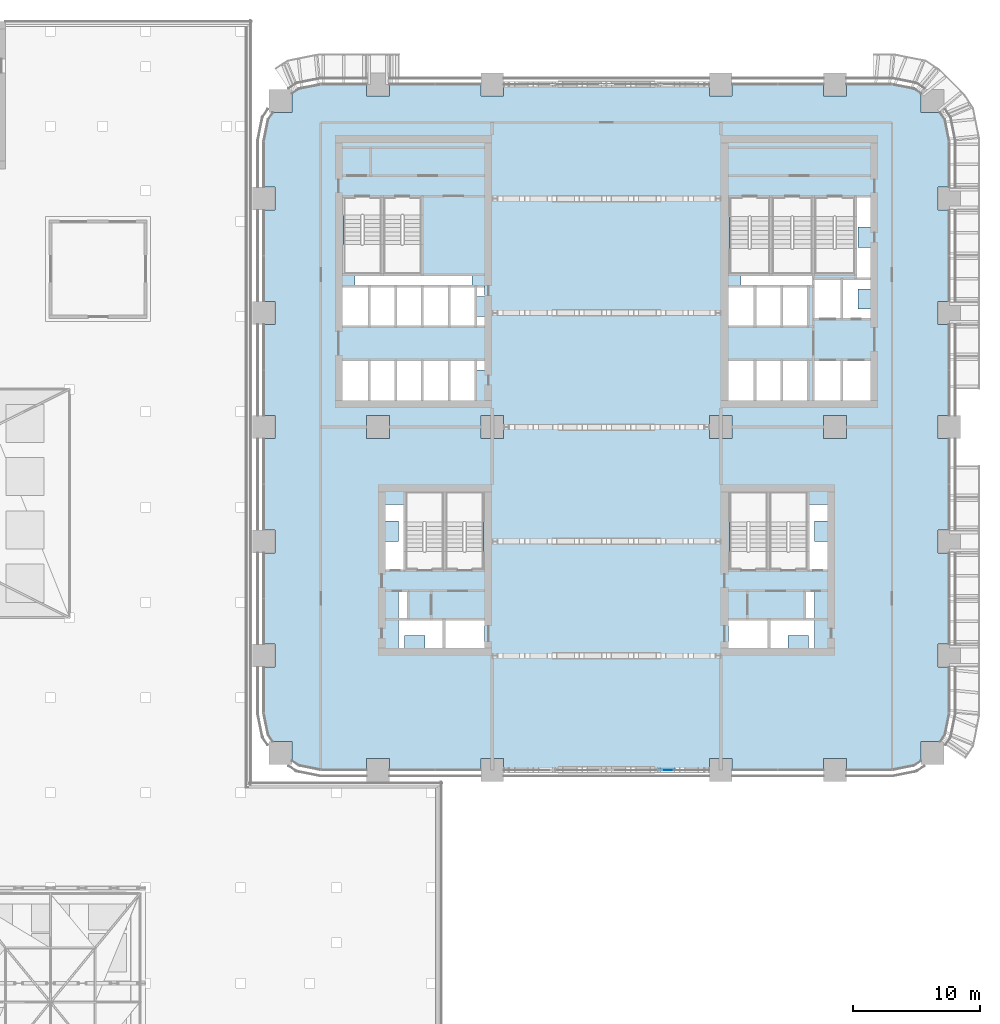
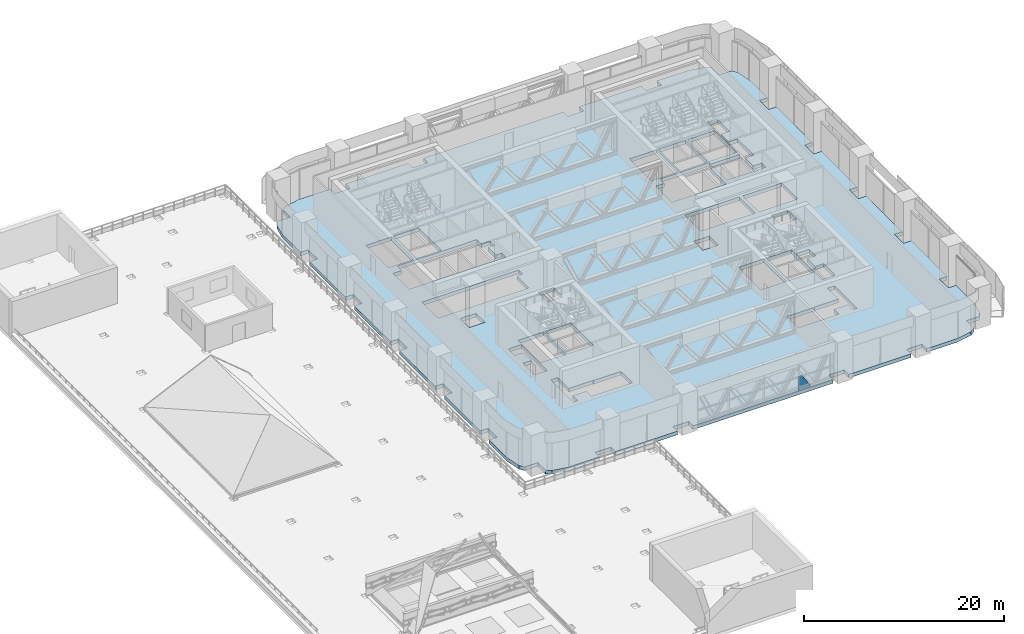
# One storey, part 14 of 35: 1 plate, 1 slab, 1 element without a shape of its own.
"""IFC4 building model written with IfcOpenShell, lengths in metres."""

from ifc_helpers import new_model, si_unit, direction, frame, origin, place, context, subcontext, project, spatial, polyline, outline, extrude, material, layer, layer_set, type_object, element, aggregate, save


model = new_model("IFC4")

# Units and contexts
model_context = context("Model", 3, precision=1e-05, world=origin(), true_north=direction((0.0, 1.0)))
body_context = subcontext(model_context, "Body", "Model", "MODEL_VIEW")
ifc_project = project(units=[si_unit("LENGTHUNIT", "METRE"), si_unit("AREAUNIT", "SQUARE_METRE"), si_unit("VOLUMEUNIT", "CUBIC_METRE"), si_unit("PLANEANGLEUNIT", "RADIAN"), si_unit("MASSUNIT", "GRAM", prefix="KILO")], contexts=[model_context])

# Site, building, storey
site_placement = place(None, origin())
site = spatial("IfcSite", under=ifc_project, at=site_placement, CompositionType="ELEMENT")
building_placement = place(site_placement, origin())
building = spatial("IfcBuilding", under=site, at=building_placement, Name="Tessera Arch", CompositionType="ELEMENT")
storey_placement = place(building_placement, frame((0.0, 0.0, 26.0)))
storey = spatial("IfcBuildingStorey", under=building, at=storey_placement, Name="L04", CompositionType="ELEMENT", Elevation=26.0)

# Curtain wall, plate
ifc_material_1 = material(Name="CW4 curtain wall")
curtain_wall_type = type_object("IfcCurtainWallType", Name="CW4 curtain wall", PredefinedType="NOTDEFINED", material=ifc_material_1)
curtain_wall_placement = place(storey_placement, origin())
curtain_wall = element("IfcCurtainWall", 1, at=curtain_wall_placement, inside=storey, type_object=curtain_wall_type, Name="CW4 curtain wall S0.0/1 L04", PredefinedType="NOTDEFINED")
ifc_material_2 = material(Name="Clear low-e glass", Category="glass")
ifc_layer_1 = layer(ifc_material_2, 0.028076171875)
ifc_layer_set_1 = layer_set([ifc_layer_1], Name="CW4 glass panel")
plate_type = type_object("IfcPlateType", Name="CW4 glass panel", PredefinedType="CURTAIN_PANEL", material=ifc_layer_set_1)
plate_placement = place(storey_placement, frame((31.090087890625, -0.013916015625, 0.0), z_axis=(0.0, -1.0, 0.0), x_axis=(1.0, 0.0, 0.0)))
plate = element("IfcPlate", 2, at=plate_placement, type_object=plate_type, Name="CW4 fitted glass panel S0.0/1 19", PredefinedType="CURTAIN_PANEL", context=body_context, shape_type="SweptSolid", body=[
    extrude(outline(polyline([(0.0, 0.0), (1.21630859375, 0.0), (1.333984375, 0.267333984375), (0.400146484375, 1.72998046875), (0.0, 1.72998046875), (0.0, 0.0)])), origin(), (0.0, 0.0, -1.0), 0.028076171875),
])
aggregate(curtain_wall, [plate])

# Slab
ifc_material_3 = material(Name="Concrete C40/50", Category="concrete")
ifc_layer_2 = layer(ifc_material_3, 0.449951171875)
ifc_layer_set_2 = layer_set([ifc_layer_2], Name="Floor slab 450 Concrete C40/50")
slab_type = type_object("IfcSlabType", Name="Floor slab 450 Concrete C40/50", PredefinedType="FLOOR", material=ifc_layer_set_2)
slab_placement = place(storey_placement, frame((0.0, 0.0, -0.449951171875)))
element("IfcSlab", 3, at=slab_placement, inside=storey, type_object=slab_type, Name="Floor slab L04 1", PredefinedType="FLOOR", context=body_context, shape_type="SweptSolid", body=[
    extrude(outline(polyline([(4.5, 0.0), (2.77783203125, 0.342529296875), (2.218017578125, 0.716552734375), (2.218017578125, 2.218017578125), (0.716552734375, 2.218017578125), (0.342529296875, 2.77783203125), (0.0, 4.5), (0.0, 8.10009765625), (0.89990234375, 8.10009765625), (0.89990234375, 9.89990234375), (0.0, 9.89990234375), (0.0, 17.10009765625), (0.89990234375, 17.10009765625), (0.89990234375, 18.89990234375), (0.0, 18.89990234375), (0.0, 26.10009765625), (0.89990234375, 26.10009765625), (0.89990234375, 27.89990234375), (0.0, 27.89990234375), (0.0, 35.10009765625), (0.89990234375, 35.10009765625), (0.89990234375, 36.89990234375), (0.0, 36.89990234375), (0.0, 44.10009765625), (0.89990234375, 44.10009765625), (0.89990234375, 45.89990234375), (0.0, 45.89990234375), (0.0, 49.5), (0.342529296875, 51.22216796875), (0.716552734375, 51.781982421875), (2.218017578125, 51.781982421875), (2.218017578125, 53.283447265625), (2.77783203125, 53.657470703125), (4.5, 54.0), (8.10009765625, 54.0), (8.10009765625, 53.10009765625), (9.89990234375, 53.10009765625), (9.89990234375, 54.0), (17.10009765625, 54.0), (17.10009765625, 53.10009765625), (18.89990234375, 53.10009765625), (18.89990234375, 54.0), (35.10009765625, 54.0), (35.10009765625, 53.10009765625), (36.89990234375, 53.10009765625), (36.89990234375, 54.0), (44.10009765625, 54.0), (44.10009765625, 53.10009765625), (45.89990234375, 53.10009765625), (45.89990234375, 54.0), (49.5, 54.0), (51.22216796875, 53.657470703125), (51.781982421875, 53.283447265625), (51.781982421875, 51.781982421875), (53.283447265625, 51.781982421875), (53.657470703125, 51.22216796875), (54.0, 49.5), (54.0, 45.89990234375), (53.10009765625, 45.89990234375), (53.10009765625, 44.10009765625), (54.0, 44.10009765625), (54.0, 36.89990234375), (53.10009765625, 36.89990234375), (53.10009765625, 35.10009765625), (54.0, 35.10009765625), (54.0, 27.89990234375), (53.10009765625, 27.89990234375), (53.10009765625, 26.10009765625), (54.0, 26.10009765625), (54.0, 18.89990234375), (53.10009765625, 18.89990234375), (53.10009765625, 17.10009765625), (54.0, 17.10009765625), (54.0, 9.89990234375), (53.10009765625, 9.89990234375), (53.10009765625, 8.10009765625), (54.0, 8.10009765625), (54.0, 4.5), (53.657470703125, 2.77783203125), (53.283447265625, 2.218017578125), (51.781982421875, 2.218017578125), (51.781982421875, 0.716552734375), (51.22216796875, 0.342529296875), (49.5, 0.0), (45.89990234375, 0.0), (45.89990234375, 0.89990234375), (44.10009765625, 0.89990234375), (44.10009765625, 0.0), (36.89990234375, 0.0), (36.89990234375, 0.89990234375), (35.10009765625, 0.89990234375), (35.10009765625, 0.0), (18.89990234375, 0.0), (18.89990234375, 0.89990234375), (17.10009765625, 0.89990234375), (17.10009765625, 0.0), (9.89990234375, 0.0), (9.89990234375, 0.89990234375), (8.10009765625, 0.89990234375), (8.10009765625, 0.0), (4.5, 0.0)]), holes=[polyline([(11.39990234375, 11.89990234375), (11.39990234375, 14.10009765625), (10.60009765625, 14.10009765625), (10.60009765625, 11.89990234375), (10.60009765625, 9.60009765625), (11.10009765625, 9.60009765625), (11.10009765625, 10.60009765625), (12.699951171875, 10.60009765625), (12.699951171875, 9.60009765625), (14.199951171875, 9.60009765625), (17.39990234375, 9.60009765625), (17.39990234375, 11.85009765625), (14.199951171875, 11.85009765625), (14.199951171875, 11.89990234375), (11.39990234375, 11.89990234375)]), polyline([(9.60009765625, 20.89990234375), (9.60009765625, 19.60009765625), (10.60009765625, 19.60009765625), (10.60009765625, 18.0), (9.60009765625, 18.0), (9.60009765625, 15.699951171875), (11.10009765625, 15.699951171875), (11.10009765625, 20.89990234375), (9.60009765625, 20.89990234375)]), polyline([(8.10009765625, 26.10009765625), (9.89990234375, 26.10009765625), (9.89990234375, 27.89990234375), (8.10009765625, 27.89990234375), (8.10009765625, 26.10009765625)]), polyline([(12.5, 29.10009765625), (14.60009765625, 29.10009765625), (16.699951171875, 29.10009765625), (16.699951171875, 31.5), (17.39990234375, 31.5), (17.39990234375, 32.300048828125), (16.699951171875, 32.300048828125), (14.60009765625, 32.300048828125), (12.5, 32.300048828125), (10.39990234375, 32.300048828125), (8.300048828125, 32.300048828125), (6.199951171875, 32.300048828125), (6.199951171875, 29.10009765625), (8.300048828125, 29.10009765625), (10.39990234375, 29.10009765625), (12.5, 29.10009765625)]), polyline([(12.5, 34.89990234375), (14.60009765625, 34.89990234375), (16.699951171875, 34.89990234375), (17.39990234375, 34.89990234375), (17.39990234375, 35.699951171875), (16.699951171875, 35.699951171875), (16.699951171875, 37.300048828125), (17.39990234375, 37.300048828125), (17.39990234375, 38.10009765625), (16.699951171875, 38.10009765625), (16.39990234375, 38.10009765625), (16.39990234375, 39.0), (7.199951171875, 39.0), (7.199951171875, 38.10009765625), (6.199951171875, 38.10009765625), (6.199951171875, 34.89990234375), (8.300048828125, 34.89990234375), (10.39990234375, 34.89990234375), (12.5, 34.89990234375)]), polyline([(7.85009765625, 43.699951171875), (7.699951171875, 43.699951171875), (7.699951171875, 43.68994140625), (6.300048828125, 43.68994140625), (6.300048828125, 39.199951171875), (9.25, 39.199951171875), (9.25, 43.68994140625), (7.85009765625, 43.68994140625), (7.85009765625, 43.699951171875)]), polyline([(11.0, 43.699951171875), (10.85009765625, 43.699951171875), (10.85009765625, 43.68994140625), (9.449951171875, 43.68994140625), (9.449951171875, 39.199951171875), (12.39990234375, 39.199951171875), (12.39990234375, 43.68994140625), (11.0, 43.68994140625), (11.0, 43.699951171875)]), polyline([(36.60009765625, 11.85009765625), (36.60009765625, 9.60009765625), (39.800048828125, 9.60009765625), (41.300048828125, 9.60009765625), (41.300048828125, 10.60009765625), (42.89990234375, 10.60009765625), (42.89990234375, 9.60009765625), (43.39990234375, 9.60009765625), (43.39990234375, 11.89990234375), (43.39990234375, 14.10009765625), (42.60009765625, 14.10009765625), (42.60009765625, 11.89990234375), (39.800048828125, 11.89990234375), (39.800048828125, 11.85009765625), (36.60009765625, 11.85009765625)]), polyline([(12.60009765625, 17.2099609375), (12.60009765625, 17.199951171875), (12.75, 17.199951171875), (12.75, 17.2099609375), (14.14990234375, 17.2099609375), (14.14990234375, 21.699951171875), (11.199951171875, 21.699951171875), (11.199951171875, 17.2099609375), (12.60009765625, 17.2099609375)]), polyline([(38.10009765625, 17.199951171875), (38.25, 17.199951171875), (38.25, 17.2099609375), (39.64990234375, 17.2099609375), (39.64990234375, 21.699951171875), (36.699951171875, 21.699951171875), (36.699951171875, 17.2099609375), (38.10009765625, 17.2099609375), (38.10009765625, 17.199951171875)]), polyline([(15.75, 17.199951171875), (15.89990234375, 17.199951171875), (15.89990234375, 17.2099609375), (17.300048828125, 17.2099609375), (17.300048828125, 21.699951171875), (14.35009765625, 21.699951171875), (14.35009765625, 17.2099609375), (15.75, 17.2099609375), (15.75, 17.199951171875)]), polyline([(35.10009765625, 26.10009765625), (36.89990234375, 26.10009765625), (36.89990234375, 27.89990234375), (35.10009765625, 27.89990234375), (35.10009765625, 26.10009765625)]), polyline([(17.10009765625, 27.89990234375), (17.10009765625, 26.10009765625), (18.89990234375, 26.10009765625), (18.89990234375, 27.89990234375), (17.10009765625, 27.89990234375)]), polyline([(40.800048828125, 29.10009765625), (42.89990234375, 29.10009765625), (42.89990234375, 32.300048828125), (40.800048828125, 32.300048828125), (38.699951171875, 32.300048828125), (36.60009765625, 32.300048828125), (36.60009765625, 29.10009765625), (38.699951171875, 29.10009765625), (40.800048828125, 29.10009765625)]), polyline([(36.60009765625, 38.10009765625), (36.60009765625, 34.89990234375), (38.699951171875, 34.89990234375), (40.800048828125, 34.89990234375), (42.89990234375, 34.89990234375), (42.89990234375, 38.10009765625), (43.300048828125, 38.10009765625), (43.300048828125, 35.5), (45.550048828125, 35.5), (47.800048828125, 35.5), (47.800048828125, 36.300048828125), (46.800048828125, 36.300048828125), (46.800048828125, 37.89990234375), (47.800048828125, 37.89990234375), (47.800048828125, 38.699951171875), (47.800048828125, 41.14990234375), (46.800048828125, 41.14990234375), (46.800048828125, 42.75), (47.800048828125, 42.75), (47.800048828125, 45.199951171875), (46.64990234375, 45.199951171875), (46.64990234375, 38.699951171875), (45.550048828125, 38.699951171875), (43.300048828125, 38.699951171875), (43.300048828125, 39.0), (37.60009765625, 39.0), (37.60009765625, 38.10009765625), (36.60009765625, 38.10009765625)]), polyline([(38.330078125, 43.580078125), (38.219970703125, 43.580078125), (38.219970703125, 43.570068359375), (36.699951171875, 43.570068359375), (36.699951171875, 39.199951171875), (39.85009765625, 39.199951171875), (39.85009765625, 43.570068359375), (38.330078125, 43.570068359375), (38.330078125, 43.580078125)]), polyline([(42.89990234375, 15.699951171875), (44.39990234375, 15.699951171875), (44.39990234375, 18.0), (43.39990234375, 18.0), (43.39990234375, 19.60009765625), (44.39990234375, 19.60009765625), (44.39990234375, 20.89990234375), (42.89990234375, 20.89990234375), (42.89990234375, 15.699951171875)]), polyline([(41.25, 17.199951171875), (41.39990234375, 17.199951171875), (41.39990234375, 17.2099609375), (42.800048828125, 17.2099609375), (42.800048828125, 21.699951171875), (39.85009765625, 21.699951171875), (39.85009765625, 17.2099609375), (41.25, 17.2099609375), (41.25, 17.199951171875)]), polyline([(44.10009765625, 26.10009765625), (45.89990234375, 26.10009765625), (45.89990234375, 27.89990234375), (44.10009765625, 27.89990234375), (44.10009765625, 26.10009765625)]), polyline([(47.800048828125, 29.10009765625), (47.800048828125, 32.300048828125), (45.550048828125, 32.300048828125), (43.300048828125, 32.300048828125), (43.300048828125, 29.10009765625), (45.550048828125, 29.10009765625), (47.800048828125, 29.10009765625)]), polyline([(45.030029296875, 43.570068359375), (45.030029296875, 43.580078125), (44.919921875, 43.580078125), (44.919921875, 43.570068359375), (43.39990234375, 43.570068359375), (43.39990234375, 39.199951171875), (46.550048828125, 39.199951171875), (46.550048828125, 43.570068359375), (45.030029296875, 43.570068359375)]), polyline([(41.679931640625, 43.580078125), (41.570068359375, 43.580078125), (41.570068359375, 43.570068359375), (40.050048828125, 43.570068359375), (40.050048828125, 39.199951171875), (43.199951171875, 39.199951171875), (43.199951171875, 43.570068359375), (41.679931640625, 43.570068359375), (41.679931640625, 43.580078125)])]), origin(), (0.0, 0.0, 1.0), 0.449951171875),
])

save(model, "model.ifc")
